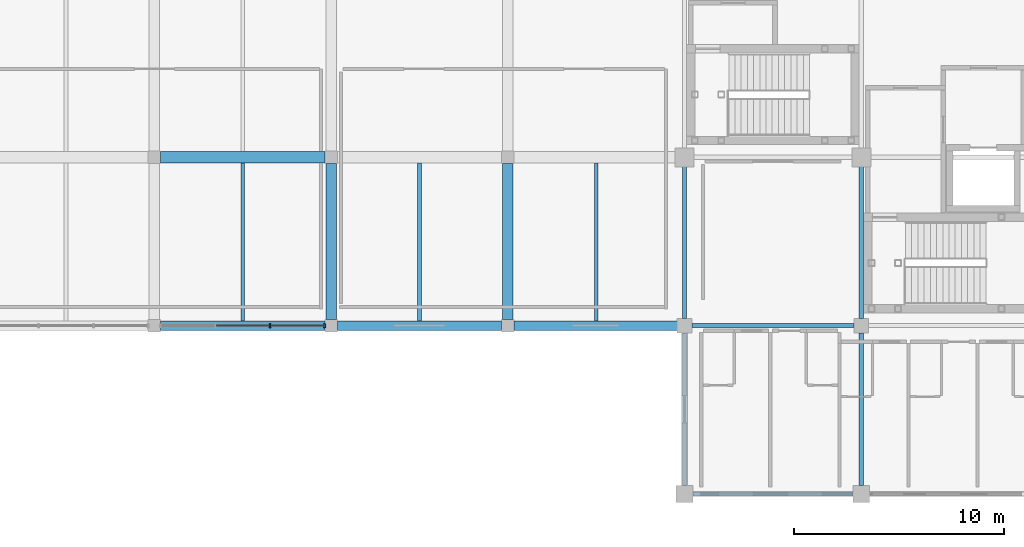
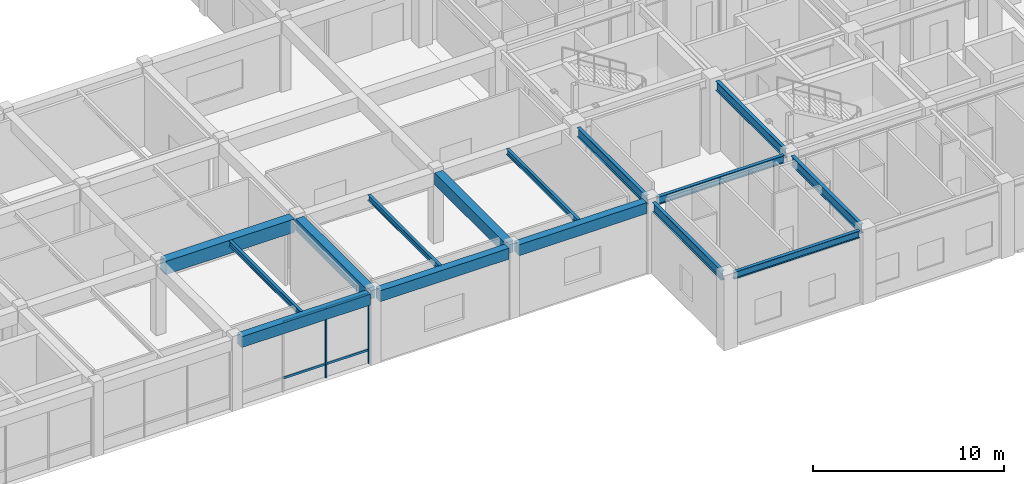
# One storey, part 11 of 37: 15 beams, 6 members, 1 element without a shape of its own.
"""IFC4 building model written with IfcOpenShell, lengths in metres."""

from ifc_helpers import new_model, si_unit, direction, frame, origin, origin_2d, place, context, subcontext, project, spatial, rectangle, i_section, extrude, material, layer, layer_set, material_profile, profile_set, type_object, element, aggregate, save


model = new_model("IFC4")

# Units and contexts
model_context = context("Model", 3, precision=1e-05, world=origin(), true_north=direction((0.0, 1.0)))
body_context = subcontext(model_context, "Body", "Model", "MODEL_VIEW")
ifc_project = project(units=[si_unit("LENGTHUNIT", "METRE"), si_unit("AREAUNIT", "SQUARE_METRE"), si_unit("VOLUMEUNIT", "CUBIC_METRE"), si_unit("PLANEANGLEUNIT", "RADIAN"), si_unit("MASSUNIT", "GRAM", prefix="KILO")], contexts=[model_context])

# Site, building, storey
site_placement = place(None, origin())
site = spatial("IfcSite", under=ifc_project, at=site_placement, CompositionType="ELEMENT")
building_placement = place(site_placement, origin())
building = spatial("IfcBuilding", under=site, at=building_placement, Name="Naruveol Harbour Congress Hotel", CompositionType="ELEMENT")
storey_placement = place(building_placement, frame((0.0, 0.0, 16.199951171875)))
storey = spatial("IfcBuildingStorey", under=building, at=storey_placement, Name="L03", CompositionType="ELEMENT", Elevation=16.199951171875)

# Beams
ifc_material_1 = material(Name="Concrete C40/50", Category="concrete")
ifc_material_profile_1 = material_profile(ifc_material_1, rectangle(XDim=0.5, YDim=0.75, at=origin_2d()), Name="RCB-500x750")
ifc_profile_set_1 = profile_set([ifc_material_profile_1], Name="Concrete C40/50")
beam_type_1 = type_object("IfcBeamType", Name="RC FLOOR GIRDER 500X750", PredefinedType="BEAM", material=ifc_profile_set_1)
for number, where, z_axis, x_axis, name in (
    (1, (100.800048828125, 8.2958984375, 4.1650390625), (0.0, 1.0, 0.0), (-1.0, 0.0, 0.0), "Transverse girder L04 CB3"),
    (2, (109.199951171875, 8.2958984375, 4.1650390625), (0.0, 1.0, 0.0), (-1.0, 0.0, 0.0), "Transverse girder L04 CB3"),
):
    element("IfcBeam", number, at=place(storey_placement, frame(where, z_axis=z_axis, x_axis=x_axis)), inside=storey, type_object=beam_type_1, Name=name, PredefinedType="BEAM", context=body_context, shape_type="SweptSolid", body=[
        extrude(rectangle(XDim=0.5, YDim=0.75, at=origin_2d()), origin(), (0.0, 0.0, 1.0), 7.408203125),
    ])
ifc_material_2 = material(Name="Concrete C40/50", Category="concrete")
ifc_material_profile_2 = material_profile(ifc_material_2, rectangle(XDim=0.550048828125, YDim=0.85009765625, at=origin_2d()), Name="RCB-550x850")
ifc_profile_set_2 = profile_set([ifc_material_profile_2], Name="Concrete C40/50")
beam_type_2 = type_object("IfcBeamType", Name="RC PRIMARY GIRDER 550X850", PredefinedType="BEAM", material=ifc_profile_set_2)
beam_1_placement = place(storey_placement, frame((92.696044921875, 16.0, 4.114990234375), z_axis=(1.0, 0.0, 0.0), x_axis=(0.0, 1.0, 0.0)))
element("IfcBeam", 3, at=beam_1_placement, inside=storey, type_object=beam_type_2, Name="Floor girder L04 CB2", PredefinedType="BEAM", context=body_context, shape_type="SweptSolid", body=[
    extrude(rectangle(XDim=0.550048828125, YDim=0.85009765625, at=origin_2d()), origin(), (0.0, 0.0, 1.0), 7.807861328125),
])
ifc_material_3 = material(Name="Concrete C40/50", Category="concrete")
ifc_material_profile_3 = material_profile(ifc_material_3, rectangle(XDim=0.449951171875, YDim=0.699951171875, at=origin_2d()), Name="RCB-450x700")
ifc_profile_set_3 = profile_set([ifc_material_profile_3], Name="Concrete C40/50")
beam_type_3 = type_object("IfcBeamType", Name="RC SPANDREL BEAM 450X700", PredefinedType="SPANDREL", material=ifc_profile_set_3)
beam_2_placement = place(storey_placement, frame((92.696044921875, 8.0, 4.18994140625), z_axis=(1.0, 0.0, 0.0), x_axis=(0.0, 1.0, 0.0)))
element("IfcBeam", 4, at=beam_2_placement, inside=storey, type_object=beam_type_3, Name="Floor girder L04 SPB1", PredefinedType="SPANDREL", context=body_context, shape_type="SweptSolid", body=[
    extrude(rectangle(XDim=0.449951171875, YDim=0.699951171875, at=origin_2d()), origin(), (0.0, 0.0, 1.0), 7.807861328125),
])
beam_3_placement = place(storey_placement, frame((101.095947265625, 8.0, 4.18994140625), z_axis=(1.0, 0.0, 0.0), x_axis=(0.0, 1.0, 0.0)))
element("IfcBeam", 5, at=beam_3_placement, inside=storey, type_object=beam_type_3, Name="Floor girder L04 SPB1", PredefinedType="SPANDREL", context=body_context, shape_type="SweptSolid", body=[
    extrude(rectangle(XDim=0.449951171875, YDim=0.699951171875, at=origin_2d()), origin(), (0.0, 0.0, 1.0), 7.80810546875),
])
beam_4_placement = place(storey_placement, frame((109.49609375, 8.0, 4.18994140625), z_axis=(1.0, 0.0, 0.0), x_axis=(0.0, 1.0, 0.0)))
element("IfcBeam", 6, at=beam_4_placement, inside=storey, type_object=beam_type_3, Name="Floor girder L04 SPB1", PredefinedType="SPANDREL", context=body_context, shape_type="SweptSolid", body=[
    extrude(rectangle(XDim=0.449951171875, YDim=0.699951171875, at=origin_2d()), origin(), (0.0, 0.0, 1.0), 7.7578125),
])
ifc_material_4 = material(Name="Steel SN490", Category="steel")
ifc_material_profile_4 = material_profile(ifc_material_4, i_section(OverallWidth=0.199951171875, OverallDepth=0.5, WebThickness=0.010009765625, FlangeThickness=0.01611328125, at=origin_2d()), Name="H-500x200x10x16")
ifc_profile_set_4 = profile_set([ifc_material_profile_4], Name="Steel SN490")
beam_type_4 = type_object("IfcBeamType", Name="STEEL FLOOR GIRDER H500", PredefinedType="BEAM", material=ifc_profile_set_4)
beam_5_placement = place(storey_placement, frame((117.946044921875, 8.0, 4.2900390625), z_axis=(1.0, 0.0, 0.0), x_axis=(0.0, 1.0, 0.0)))
element("IfcBeam", 7, at=beam_5_placement, inside=storey, type_object=beam_type_4, Name="Hotel chord beam L04 SB2", PredefinedType="BEAM", context=body_context, shape_type="SweptSolid", body=[
    extrude(i_section(OverallWidth=0.199951171875, OverallDepth=0.5, WebThickness=0.010009765625, FlangeThickness=0.01611328125, at=origin_2d()), origin(), (0.0, 0.0, 1.0), 7.7080078125),
])
ifc_material_5 = material(Name="Steel SN490", Category="steel")
ifc_material_profile_5 = material_profile(ifc_material_5, i_section(OverallWidth=0.199951171875, OverallDepth=0.60009765625, WebThickness=0.010986328125, FlangeThickness=0.01708984375, at=origin_2d()), Name="H-600x200x11x17")
ifc_profile_set_5 = profile_set([ifc_material_profile_5], Name="Steel SN490")
beam_type_5 = type_object("IfcBeamType", Name="STEEL PRIMARY FLOOR BEAM H600", PredefinedType="BEAM", material=ifc_profile_set_5)
beam_6_placement = place(storey_placement, frame((117.60009765625, 0.39599609375, 4.239990234375), z_axis=(0.0, 1.0, 0.0), x_axis=(-1.0, 0.0, 0.0)))
element("IfcBeam", 8, at=beam_6_placement, inside=storey, type_object=beam_type_5, Name="Hotel transverse beam L04 SB1", PredefinedType="BEAM", context=body_context, shape_type="SweptSolid", body=[
    extrude(i_section(OverallWidth=0.199951171875, OverallDepth=0.60009765625, WebThickness=0.010986328125, FlangeThickness=0.01708984375, at=origin_2d()), origin(), (0.0, 0.0, 1.0), 7.258056640625),
])
beam_7_placement = place(storey_placement, frame((117.60009765625, 8.345947265625, 4.239990234375), z_axis=(0.0, 1.0, 0.0), x_axis=(-1.0, 0.0, 0.0)))
element("IfcBeam", 9, at=beam_7_placement, inside=storey, type_object=beam_type_5, Name="Hotel transverse beam L04 SB1", PredefinedType="BEAM", context=body_context, shape_type="SweptSolid", body=[
    extrude(i_section(OverallWidth=0.199951171875, OverallDepth=0.60009765625, WebThickness=0.010986328125, FlangeThickness=0.01708984375, at=origin_2d()), origin(), (0.0, 0.0, 1.0), 7.2080078125),
])
beam_8_placement = place(storey_placement, frame((126.0, 0.39599609375, 4.280029296875), z_axis=(0.0, 1.0, 0.0), x_axis=(-1.0, 0.0, 0.0)))
element("IfcBeam", 10, at=beam_8_placement, inside=storey, type_object=beam_type_5, Name="Hotel transverse beam L04 SB1", PredefinedType="BEAM", context=body_context, shape_type="SweptSolid", body=[
    extrude(i_section(OverallWidth=0.199951171875, OverallDepth=0.60009765625, WebThickness=0.010986328125, FlangeThickness=0.01708984375, at=origin_2d()), origin(), (0.0, 0.0, 1.0), 7.258056640625),
])
beam_9_placement = place(storey_placement, frame((126.0, 8.345947265625, 4.280029296875), z_axis=(0.0, 1.0, 0.0), x_axis=(-1.0, 0.0, 0.0)))
element("IfcBeam", 11, at=beam_9_placement, inside=storey, type_object=beam_type_5, Name="Hotel transverse beam L04 SB1", PredefinedType="BEAM", context=body_context, shape_type="SweptSolid", body=[
    extrude(i_section(OverallWidth=0.199951171875, OverallDepth=0.60009765625, WebThickness=0.010986328125, FlangeThickness=0.01708984375, at=origin_2d()), origin(), (0.0, 0.0, 1.0), 7.2080078125),
])
ifc_material_6 = material(Name="Steel SN490", Category="steel")
ifc_material_profile_6 = material_profile(ifc_material_6, i_section(OverallWidth=0.175048828125, OverallDepth=0.35009765625, WebThickness=0.007080078125, FlangeThickness=0.010986328125, at=origin_2d()), Name="H-350x175x7x11")
ifc_profile_set_6 = profile_set([ifc_material_profile_6], Name="Steel SN490")
beam_type_6 = type_object("IfcBeamType", Name="STEEL SECONDARY JOIST H350", PredefinedType="JOIST", material=ifc_profile_set_6)
for number, where, z_axis, x_axis, name in (
    (12, (96.60009765625, 8.220947265625, 4.364990234375), (0.0, 1.0, 0.0), (-1.0, 0.0, 0.0), "Secondary floor joist L04 SJ2"),
    (13, (105.0, 8.220947265625, 4.364990234375), (0.0, 1.0, 0.0), (-1.0, 0.0, 0.0), "Secondary floor joist L04 SJ2"),
    (14, (113.39990234375, 8.220947265625, 4.364990234375), (0.0, 1.0, 0.0), (-1.0, 0.0, 0.0), "Secondary floor joist L04 SJ2"),
):
    element("IfcBeam", number, at=place(storey_placement, frame(where, z_axis=z_axis, x_axis=x_axis)), inside=storey, type_object=beam_type_6, Name=name, PredefinedType="JOIST", context=body_context, shape_type="SweptSolid", body=[
        extrude(i_section(OverallWidth=0.175048828125, OverallDepth=0.35009765625, WebThickness=0.007080078125, FlangeThickness=0.010986328125, at=origin_2d()), origin(), (0.0, 0.0, 1.0), 7.508056640625),
    ])
ifc_material_7 = material(Name="Steel SN490", Category="steel")
ifc_material_profile_7 = material_profile(ifc_material_7, i_section(OverallWidth=0.199951171875, OverallDepth=0.449951171875, WebThickness=0.009033203125, FlangeThickness=0.013916015625, at=origin_2d()), Name="H-450x200x9x14")
ifc_profile_set_7 = profile_set([ifc_material_profile_7], Name="Steel SN490")
beam_type_7 = type_object("IfcBeamType", Name="STEEL SPANDREL EDGE BEAM H450", PredefinedType="SPANDREL", material=ifc_profile_set_7)
beam_10_placement = place(storey_placement, frame((117.99609375, 0.0, 4.35498046875), z_axis=(1.0, 0.0, 0.0), x_axis=(0.0, 1.0, 0.0)))
element("IfcBeam", 15, at=beam_10_placement, inside=storey, type_object=beam_type_7, Name="Hotel chord beam L04 SPB2", PredefinedType="SPANDREL", context=body_context, shape_type="SweptSolid", body=[
    extrude(i_section(OverallWidth=0.199951171875, OverallDepth=0.449951171875, WebThickness=0.009033203125, FlangeThickness=0.013916015625, at=origin_2d()), origin(), (0.0, 0.0, 1.0), 7.60791015625),
])

# Curtain wall, members
ifc_material_8 = material(Name="Low-E Curtain Wall System", Category="glass")
ifc_layer = layer(ifc_material_8, 0.179931640625)
ifc_layer_set = layer_set([ifc_layer], Name="Low-E Curtain Wall System")
curtain_wall_type = type_object("IfcCurtainWallType", Name="UNITISED CURTAIN WALL CW-V4S-45 7800X4500", PredefinedType="USERDEFINED", material=ifc_layer_set)
curtain_wall_placement = place(storey_placement, origin())
curtain_wall = element("IfcCurtainWall", 16, at=curtain_wall_placement, inside=storey, type_object=curtain_wall_type, Name="Unitised curtain wall CW-V4S-45 L03", ObjectType="UNITISED GLAZING", PredefinedType="USERDEFINED")
ifc_material_9 = material(Name="Anodised Aluminium 6063-T6", Category="aluminium")
ifc_material_profile_8 = material_profile(ifc_material_9, rectangle(XDim=0.074951171875, YDim=0.179931640625, at=origin_2d()), Name="ALU-75x180")
ifc_profile_set_8 = profile_set([ifc_material_profile_8], Name="Anodised Aluminium 6063-T6")
member_type_1 = type_object("IfcMemberType", Name="THERMAL ALUMINIUM MULLION 75X180", PredefinedType="MULLION", material=ifc_profile_set_8)
member_1_placement = place(storey_placement, frame((100.5, 8.0, 0.0), z_axis=(0.0, 0.0, 1.0), x_axis=(1.0, 0.0, 0.0)))
member_1 = element("IfcMember", 17, at=member_1_placement, type_object=member_type_1, Name="Curtain wall mullion CW-L03-0122-M0", PredefinedType="MULLION", context=body_context, shape_type="SweptSolid", body=[
    extrude(rectangle(XDim=0.074951171875, YDim=0.179931640625, at=origin_2d()), origin(), (0.0, 0.0, 1.0), 4.5),
])
member_2_placement = place(storey_placement, frame((97.89990234375, 8.0, 0.0), z_axis=(0.0, 0.0, 1.0), x_axis=(1.0, 0.0, 0.0)))
member_2 = element("IfcMember", 18, at=member_2_placement, type_object=member_type_1, Name="Curtain wall mullion CW-L03-0122-M1", PredefinedType="MULLION", context=body_context, shape_type="SweptSolid", body=[
    extrude(rectangle(XDim=0.074951171875, YDim=0.179931640625, at=origin_2d()), origin(), (0.0, 0.0, 1.0), 4.5),
])
ifc_material_10 = material(Name="Anodised Aluminium 6063-T6", Category="aluminium")
ifc_material_profile_9 = material_profile(ifc_material_10, rectangle(XDim=0.074951171875, YDim=0.14990234375, at=origin_2d()), Name="ALU-75x150")
ifc_profile_set_9 = profile_set([ifc_material_profile_9], Name="Anodised Aluminium 6063-T6")
member_type_2 = type_object("IfcMemberType", Name="THERMAL ALUMINIUM TRANSOM 75X150", PredefinedType="USERDEFINED", material=ifc_profile_set_9)
member_3_placement = place(storey_placement, frame((100.4599609375, 8.0, 0.85009765625), z_axis=(-1.0, 0.0, 0.0), x_axis=(0.0, -1.0, 0.0)))
member_3 = element("IfcMember", 19, at=member_3_placement, type_object=member_type_2, Name="Curtain wall transom CW-L03-0122-T0.1", ObjectType="TRANSOM", PredefinedType="USERDEFINED", context=body_context, shape_type="SweptSolid", body=[
    extrude(rectangle(XDim=0.074951171875, YDim=0.14990234375, at=origin_2d()), origin(), (0.0, 0.0, 1.0), 2.52001953125),
])
member_4_placement = place(storey_placement, frame((100.4599609375, 8.0, 4.420166015625), z_axis=(-1.0, 0.0, 0.0), x_axis=(0.0, -1.0, 0.0)))
member_4 = element("IfcMember", 20, at=member_4_placement, type_object=member_type_2, Name="Curtain wall transom CW-L03-0122-T0.2", ObjectType="TRANSOM", PredefinedType="USERDEFINED", context=body_context, shape_type="SweptSolid", body=[
    extrude(rectangle(XDim=0.074951171875, YDim=0.14990234375, at=origin_2d()), origin(), (0.0, 0.0, 1.0), 2.52001953125),
])
member_5_placement = place(storey_placement, frame((97.860107421875, 8.0, 0.85009765625), z_axis=(-1.0, 0.0, 0.0), x_axis=(0.0, -1.0, 0.0)))
member_5 = element("IfcMember", 21, at=member_5_placement, type_object=member_type_2, Name="Curtain wall transom CW-L03-0122-T1.1", ObjectType="TRANSOM", PredefinedType="USERDEFINED", context=body_context, shape_type="SweptSolid", body=[
    extrude(rectangle(XDim=0.074951171875, YDim=0.14990234375, at=origin_2d()), origin(), (0.0, 0.0, 1.0), 2.52001953125),
])
member_6_placement = place(storey_placement, frame((97.860107421875, 8.0, 4.420166015625), z_axis=(-1.0, 0.0, 0.0), x_axis=(0.0, -1.0, 0.0)))
member_6 = element("IfcMember", 22, at=member_6_placement, type_object=member_type_2, Name="Curtain wall transom CW-L03-0122-T1.2", ObjectType="TRANSOM", PredefinedType="USERDEFINED", context=body_context, shape_type="SweptSolid", body=[
    extrude(rectangle(XDim=0.074951171875, YDim=0.14990234375, at=origin_2d()), origin(), (0.0, 0.0, 1.0), 2.52001953125),
])
aggregate(curtain_wall, [member_1, member_2, member_3, member_4, member_5, member_6])

save(model, "model.ifc")
